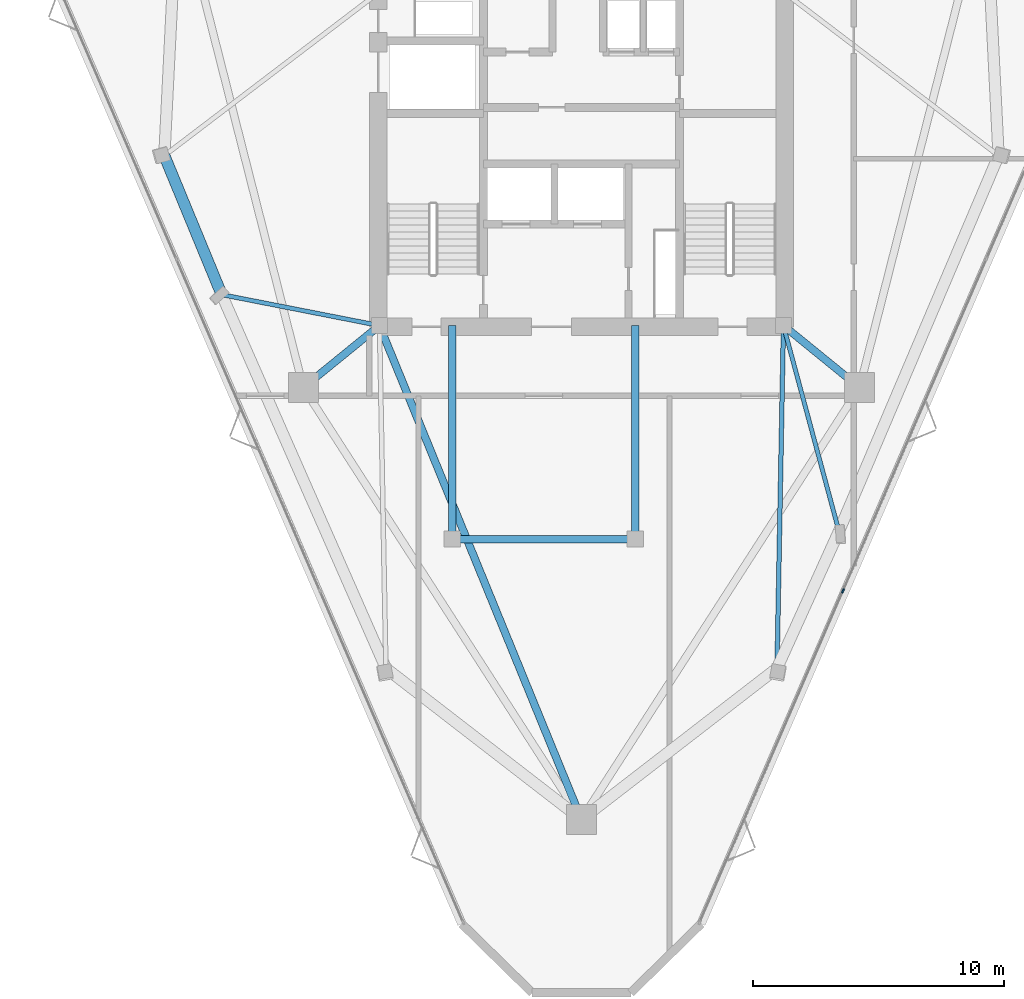
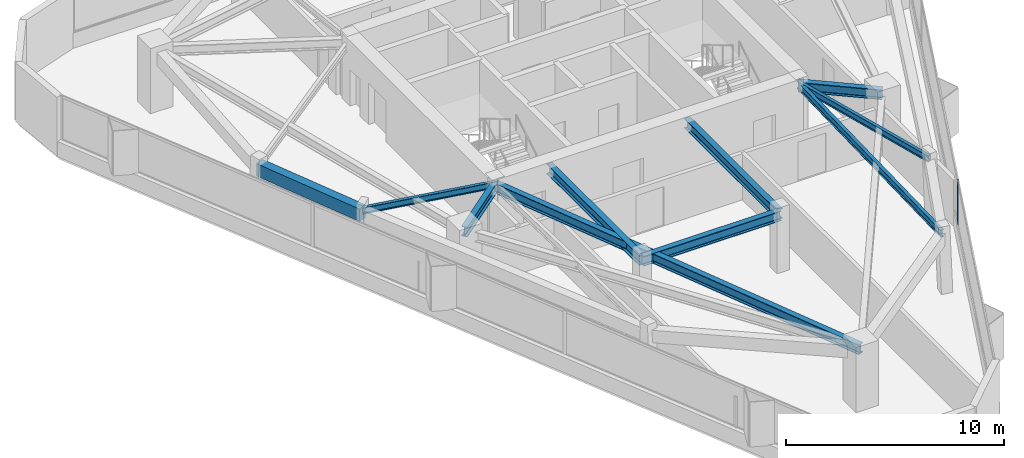
# One storey, part 3 of 11: 10 beams, 1 member, 1 element without a shape of its own.
"""IFC4 building model written with IfcOpenShell, lengths in metres."""

from ifc_helpers import new_model, si_unit, direction, frame, origin, origin_2d, place, context, subcontext, project, spatial, rectangle, i_section, extrude, material, layer, layer_set, material_profile, profile_set, type_object, element, aggregate, save


model = new_model("IFC4")

# Units and contexts
model_context = context("Model", 3, precision=1e-05, world=origin(), true_north=direction((0.0, 1.0)))
body_context = subcontext(model_context, "Body", "Model", "MODEL_VIEW")
ifc_project = project(units=[si_unit("LENGTHUNIT", "METRE"), si_unit("AREAUNIT", "SQUARE_METRE"), si_unit("VOLUMEUNIT", "CUBIC_METRE"), si_unit("PLANEANGLEUNIT", "RADIAN"), si_unit("MASSUNIT", "GRAM", prefix="KILO")], contexts=[model_context])

# Site, building, storey
site_placement = place(None, origin())
site = spatial("IfcSite", under=ifc_project, at=site_placement, CompositionType="ELEMENT")
building_placement = place(site_placement, origin())
building = spatial("IfcBuilding", under=site, at=building_placement, Name="Talyreon Biosciences Tower", CompositionType="ELEMENT")
storey_placement = place(building_placement, frame((0.0, 0.0, 271.75)))
storey = spatial("IfcBuildingStorey", under=building, at=storey_placement, Name="L72", CompositionType="ELEMENT", Elevation=271.75)

# Curtain wall, member
ifc_material_1 = material(Name="Thermally broken aluminium and low-E glazing", Category="aluminium")
ifc_layer = layer(ifc_material_1, 0.175048828125)
ifc_layer_set = layer_set([ifc_layer], Name="Thermally broken aluminium and low-E glazing")
curtain_wall_type = type_object("IfcCurtainWallType", Name="CurtainWall_Zone5CompLab", PredefinedType="NOTDEFINED", material=ifc_layer_set)
curtain_wall_placement = place(storey_placement, origin())
curtain_wall = element("IfcCurtainWall", 1, at=curtain_wall_placement, inside=storey, type_object=curtain_wall_type, Name="L72 Unitised Curtain Wall FCW-L72-08", PredefinedType="NOTDEFINED")
ifc_material_2 = material(Name="Anodised thermally broken aluminium", Category="aluminium")
ifc_material_profile_1 = material_profile(ifc_material_2, rectangle(XDim=0.06494140625, YDim=0.179931640625, at=origin_2d()), Name="ALUM MULLION 65x180")
ifc_profile_set_1 = profile_set([ifc_material_profile_1], Name="Anodised thermally broken aluminium")
member_type = type_object("IfcMemberType", Name="CWMullion_65x180", PredefinedType="MULLION", material=ifc_profile_set_1)
member_placement = place(storey_placement, frame((76.423828125, 50.77490234375, 0.81005859375), z_axis=(0.0, 0.0, 1.0), x_axis=(0.917867616895, -0.396886681377, 0.0)))
member = element("IfcMember", 2, at=member_placement, type_object=member_type, Name="CW6 mullion 3", PredefinedType="MULLION", context=body_context, shape_type="SweptSolid", body=[
    extrude(rectangle(XDim=0.06494140625, YDim=0.179931640625, at=origin_2d()), origin(), (0.0, 0.0, 1.0), 2.489990234375),
])
aggregate(curtain_wall, [member])

# Beams
ifc_material_3 = material(Name="Precast concrete C45/55", Category="concrete")
ifc_material_profile_2 = material_profile(ifc_material_3, rectangle(XDim=0.449951171875, YDim=0.699951171875, at=origin_2d()), Name="RCB 450x700")
ifc_profile_set_2 = profile_set([ifc_material_profile_2], Name="Precast concrete C45/55")
beam_type_1 = type_object("IfcBeamType", Name="ExpressedSpandrel_450x700", PredefinedType="SPANDREL", material=ifc_profile_set_2)
beam_1_placement = place(storey_placement, frame((49.3740234375, 68.12451171875, 2.949951171875), z_axis=(0.381411416741, -0.924405393309, 0.0), x_axis=(0.924405393309, 0.381411416741, 0.0)))
element("IfcBeam", 3, at=beam_1_placement, inside=storey, type_object=beam_type_1, Name="L72 Expressed Horizontal Concrete Spandrel 10", PredefinedType="SPANDREL", context=body_context, shape_type="SweptSolid", body=[
    extrude(rectangle(XDim=0.449951171875, YDim=0.699951171875, at=origin_2d()), origin(), (0.0, 0.0, 1.0), 5.993896484375),
])
ifc_material_4 = material(Name="Steel SM355", Category="steel")
ifc_material_profile_3 = material_profile(ifc_material_4, i_section(OverallWidth=0.300048828125, OverallDepth=0.550048828125, WebThickness=0.014892578125, FlangeThickness=0.029052734375, FilletRadius=0.027099609375, at=origin_2d()), Name="HE550B")
ifc_profile_set_3 = profile_set([ifc_material_profile_3], Name="Steel SM355")
beam_type_2 = type_object("IfcBeamType", Name="SteelBeam_HE550B", PredefinedType="BEAM", material=ifc_profile_set_3)
beam_2_placement = place(storey_placement, frame((57.949951171875, 61.35009765625, 3.02490234375), z_axis=(0.378547014545, -0.925582064314, 0.0), x_axis=(0.925582064314, 0.378547014545, 0.0)))
element("IfcBeam", 4, at=beam_2_placement, inside=storey, type_object=beam_type_2, Name="L72 Radial Primary Girder 1", PredefinedType="BEAM", context=body_context, shape_type="SweptSolid", body=[
    extrude(i_section(OverallWidth=0.300048828125, OverallDepth=0.550048828125, WebThickness=0.014892578125, FlangeThickness=0.029052734375, FilletRadius=0.027099609375, at=origin_2d()), origin(), (0.0, 0.0, 1.0), 21.265625),
])
for number, where, z_axis, x_axis, name in (
    (5, (74.050048828125, 61.35009765625, 3.02490234375), (0.775755154013, -0.631034025249, 0.0), (0.631034025249, 0.775755154013, 0.0), "L72 Radial Primary Girder 2"),
    (6, (57.949951171875, 61.35009765625, 3.02490234375), (-0.775755154013, -0.631034025249, 0.0), (0.631034025249, -0.775755154013, 0.0), "L72 Radial Primary Girder 6"),
):
    element("IfcBeam", number, at=place(storey_placement, frame(where, z_axis=z_axis, x_axis=x_axis)), inside=storey, type_object=beam_type_2, Name=name, PredefinedType="BEAM", context=body_context, shape_type="SweptSolid", body=[
        extrude(i_section(OverallWidth=0.300048828125, OverallDepth=0.550048828125, WebThickness=0.014892578125, FlangeThickness=0.029052734375, FilletRadius=0.027099609375, at=origin_2d()), origin(), (0.0, 0.0, 1.0), 3.913818359375),
    ])
beam_3_placement = place(storey_placement, frame((60.85009765625, 52.840087890625, 3.02490234375), z_axis=(1.0, 0.0, 0.0), x_axis=(0.0, 1.0, 0.0)))
element("IfcBeam", 7, at=beam_3_placement, inside=storey, type_object=beam_type_2, Name="L72 Crown Shaft Spine Girder S", PredefinedType="BEAM", context=body_context, shape_type="SweptSolid", body=[
    extrude(i_section(OverallWidth=0.300048828125, OverallDepth=0.550048828125, WebThickness=0.014892578125, FlangeThickness=0.029052734375, FilletRadius=0.027099609375, at=origin_2d()), origin(), (0.0, 0.0, 1.0), 7.2998046875),
])
for number, where, z_axis, x_axis, name in (
    (8, (60.85009765625, 52.840087890625, 3.02490234375), (0.0, 1.0, 0.0), (-1.0, 0.0, 0.0), "L72 Crown Shaft Tie Girder W"),
    (9, (68.14990234375, 52.840087890625, 3.02490234375), (0.0, 1.0, 0.0), (-1.0, 0.0, 0.0), "L72 Crown Shaft Tie Girder E"),
):
    element("IfcBeam", number, at=place(storey_placement, frame(where, z_axis=z_axis, x_axis=x_axis)), inside=storey, type_object=beam_type_2, Name=name, PredefinedType="BEAM", context=body_context, shape_type="SweptSolid", body=[
        extrude(i_section(OverallWidth=0.300048828125, OverallDepth=0.550048828125, WebThickness=0.014892578125, FlangeThickness=0.029052734375, FilletRadius=0.027099609375, at=origin_2d()), origin(), (0.0, 0.0, 1.0), 8.510009765625),
    ])
ifc_material_profile_4 = material_profile(ifc_material_4, i_section(OverallWidth=0.169921875, OverallDepth=0.360107421875, WebThickness=0.008056640625, FlangeThickness=0.0126953125, FilletRadius=0.01806640625, at=origin_2d()), Name="IPE360")
ifc_profile_set_4 = profile_set([ifc_material_profile_4], Name="Steel SM355")
beam_type_3 = type_object("IfcBeamType", Name="SteelJoist_IPE360", PredefinedType="JOIST", material=ifc_profile_set_4)
beam_4_placement = place(storey_placement, frame((74.050048828125, 61.35009765625, 3.1201171875), z_axis=(0.260693189441, -0.965421701113, 0.0), x_axis=(0.965421701113, 0.260693189441, 0.0)))
element("IfcBeam", 10, at=beam_4_placement, inside=storey, type_object=beam_type_3, Name="L72 Radial Composite Floor Joist PL-SE", PredefinedType="JOIST", context=body_context, shape_type="SweptSolid", body=[
    extrude(i_section(OverallWidth=0.169921875, OverallDepth=0.360107421875, WebThickness=0.008056640625, FlangeThickness=0.0126953125, FilletRadius=0.01806640625, at=origin_2d()), origin(), (0.0, 0.0, 1.0), 8.490478515625),
])
beam_5_placement = place(storey_placement, frame((57.949951171875, 61.35009765625, 3.1201171875), z_axis=(-0.981303453775, 0.192466962385, 0.0), x_axis=(-0.192466962385, -0.981303453775, 0.0)))
element("IfcBeam", 11, at=beam_5_placement, inside=storey, type_object=beam_type_3, Name="L72 Radial Composite Floor Joist PL-SW", PredefinedType="JOIST", context=body_context, shape_type="SweptSolid", body=[
    extrude(i_section(OverallWidth=0.169921875, OverallDepth=0.360107421875, WebThickness=0.008056640625, FlangeThickness=0.0126953125, FilletRadius=0.01806640625, at=origin_2d()), origin(), (0.0, 0.0, 1.0), 6.40966796875),
])
ifc_material_profile_5 = material_profile(ifc_material_4, i_section(OverallWidth=0.179931640625, OverallDepth=0.39990234375, WebThickness=0.008544921875, FlangeThickness=0.013427734375, FilletRadius=0.02099609375, at=origin_2d()), Name="IPE400")
ifc_profile_set_5 = profile_set([ifc_material_profile_5], Name="Steel SM355")
beam_type_4 = type_object("IfcBeamType", Name="SteelJoist_IPE400", PredefinedType="JOIST", material=ifc_profile_set_5)
beam_6_placement = place(storey_placement, frame((74.050048828125, 61.35009765625, 3.10009765625), z_axis=(-0.01874759825, -0.999824248336, 0.0), x_axis=(0.999824248336, -0.01874759825, 0.0)))
element("IfcBeam", 12, at=beam_6_placement, inside=storey, type_object=beam_type_4, Name="L72 Radial Composite Floor Joist PC-SE1", PredefinedType="JOIST", context=body_context, shape_type="SweptSolid", body=[
    extrude(i_section(OverallWidth=0.179931640625, OverallDepth=0.39990234375, WebThickness=0.008544921875, FlangeThickness=0.013427734375, FilletRadius=0.02099609375, at=origin_2d()), origin(), (0.0, 0.0, 1.0), 13.66064453125),
])

save(model, "model.ifc")
